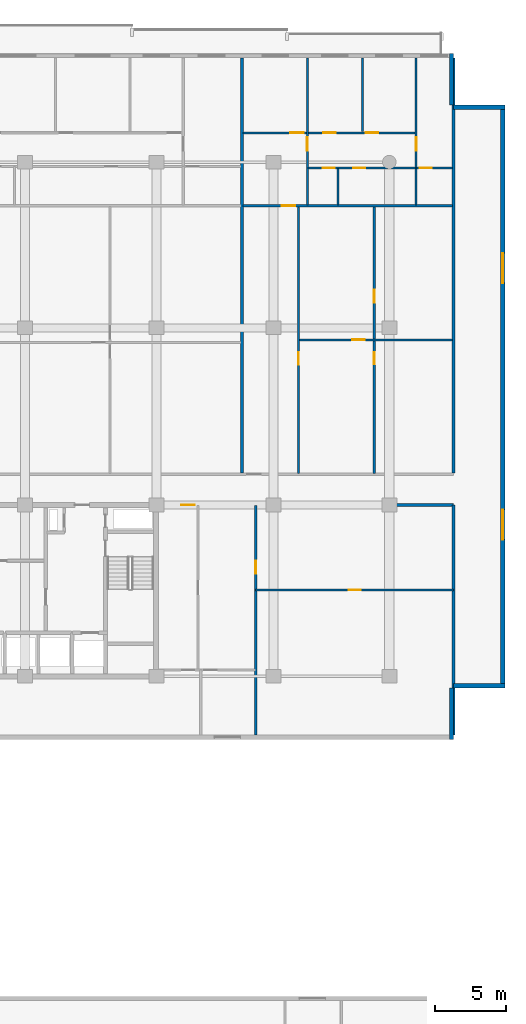
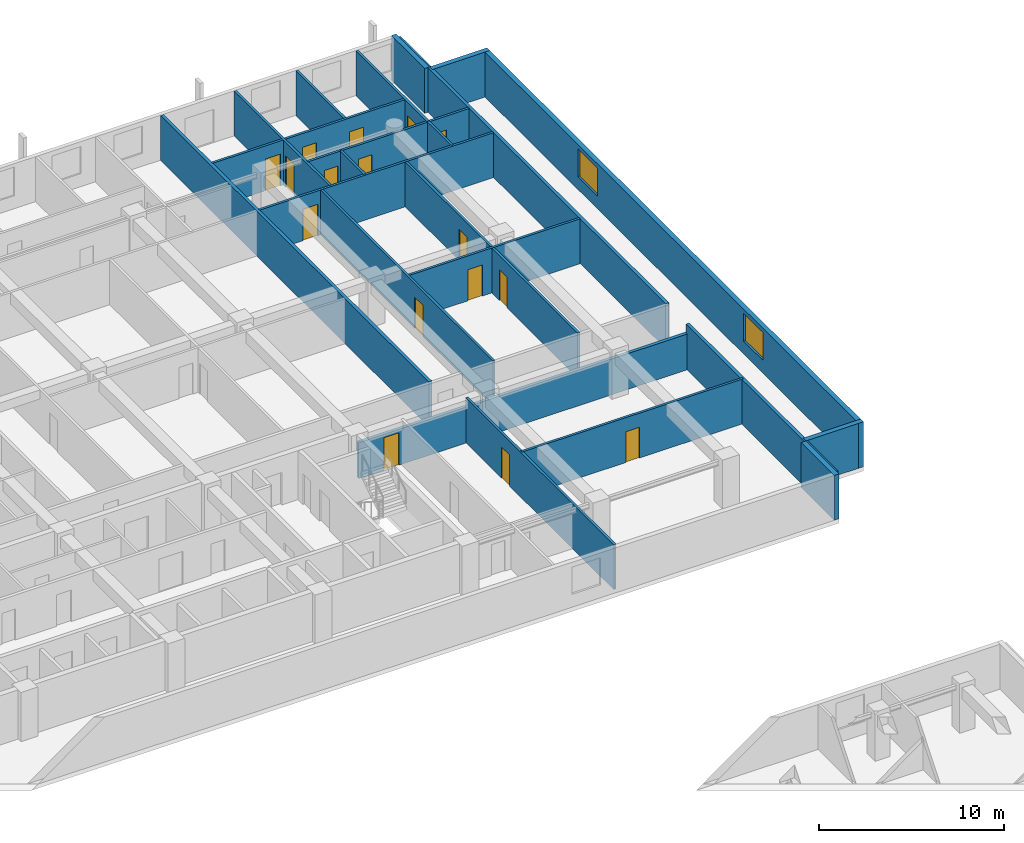
# One storey, part 17 of 23: 22 walls, 16 doors, 2 windows, 18 openings.
"""IFC4 building model written with IfcOpenShell, lengths in metres."""

from ifc_helpers import new_model, si_unit, direction, frame, frame_2d, origin, place, context, subcontext, project, spatial, rectangle, extrude, material, layer, layer_set, type_object, element, fill, save


model = new_model("IFC4")

# Units and contexts
model_context = context("Model", 3, precision=1e-05, world=origin(), true_north=direction((0.0, 1.0)))
body_context = subcontext(model_context, "Body", "Model", "MODEL_VIEW")
ifc_project = project(units=[si_unit("LENGTHUNIT", "METRE"), si_unit("AREAUNIT", "SQUARE_METRE"), si_unit("VOLUMEUNIT", "CUBIC_METRE"), si_unit("PLANEANGLEUNIT", "RADIAN"), si_unit("MASSUNIT", "GRAM", prefix="KILO")], contexts=[model_context])

# Site, building, storey
site_placement = place(None, origin())
site = spatial("IfcSite", under=ifc_project, at=site_placement, CompositionType="ELEMENT")
building_placement = place(site_placement, origin())
building = spatial("IfcBuilding", under=site, at=building_placement, Name="Korimba Cascade Residences", CompositionType="ELEMENT")
storey_placement = place(building_placement, frame((0.0, 0.0, 53.25)))
storey = spatial("IfcBuildingStorey", under=building, at=storey_placement, Name="L14", CompositionType="ELEMENT", Elevation=53.25)

# Walls
ifc_material_1 = material(Name="Precast concrete C40/50", Category="concrete")
ifc_layer_1 = layer(ifc_material_1, 0.300048828125)
ifc_layer_set_1 = layer_set([ifc_layer_1], Name="Precast concrete C40/50")
wall_type_1 = type_object("IfcWallType", Name="EW-STONE-300", PredefinedType="STANDARD", material=ifc_layer_set_1)
wall_1_placement = place(storey_placement, frame((132.75, 50.800048828125, 0.0), z_axis=(0.0, 0.0, 1.0), x_axis=(0.0, 1.0, 0.0)))
element("IfcWall", 1, at=wall_1_placement, inside=storey, type_object=wall_type_1, Name="L14 T1 Perimeter Stone Wall E01", PredefinedType="STANDARD", context=body_context, shape_type="SweptSolid", body=[
    extrude(rectangle(XDim=3.599853515625, YDim=0.300048828125, at=frame_2d((1.7998046875, 0.0))), origin(), (0.0, 0.0, 1.0), 2.969970703125),
])
wall_2_placement = place(storey_placement, frame((132.89990234375, 54.550048828125, 0.0), z_axis=(0.0, 0.0, 1.0), x_axis=(1.0, 0.0, 0.0)))
element("IfcWall", 2, at=wall_2_placement, inside=storey, type_object=wall_type_1, Name="L14 T1 Perimeter Stone Wall E02", PredefinedType="STANDARD", context=body_context, shape_type="SweptSolid", body=[
    extrude(rectangle(XDim=3.60009765625, YDim=0.300048828125, at=frame_2d((1.800048828125, 0.0))), origin(), (0.0, 0.0, 1.0), 2.969970703125),
])

# Wall, openings, windows
wall_3_placement = place(storey_placement, frame((136.35009765625, 54.39990234375, 0.0), z_axis=(0.0, 0.0, 1.0), x_axis=(0.0, 1.0, 0.0)))
wall_3 = element("IfcWall", 3, at=wall_3_placement, inside=storey, type_object=wall_type_1, Name="L14 T1 Perimeter Stone Wall E03", PredefinedType="STANDARD", context=body_context, shape_type="SweptSolid", body=[
    extrude(rectangle(XDim=40.800048828125, YDim=0.300048828125, at=frame_2d((20.39990234375, 0.0))), origin(), (0.0, 0.0, 1.0), 2.969970703125),
])
opening_1_placement = place(wall_3_placement, frame((10.3740234375, 0.0, 0.85009765625)))
opening_1 = element("IfcOpeningElement", 4, at=opening_1_placement, cuts=wall_3, Name="Opening W-03", PredefinedType="OPENING", context=body_context, shape_type="SweptSolid", body=[
    extrude(rectangle(XDim=2.10009765625, YDim=1.85009765625, at=frame_2d((1.050048828125, 0.925048828125))), frame((0.0, 0.16015625, 0.0), z_axis=(0.0, -1.0, 0.0), x_axis=(1.0, 0.0, 0.0)), (0.0, 0.0, 1.0), 0.320068359375),
])
opening_2_placement = place(wall_3_placement, frame((28.325927734375, 0.0, 0.85009765625)))
opening_2 = element("IfcOpeningElement", 5, at=opening_2_placement, cuts=wall_3, Name="Opening W-03", PredefinedType="OPENING", context=body_context, shape_type="SweptSolid", body=[
    extrude(rectangle(XDim=2.10009765625, YDim=1.85009765625, at=frame_2d((1.050048828125, 0.925048828125))), frame((0.0, 0.16015625, 0.0), z_axis=(0.0, -1.0, 0.0), x_axis=(1.0, 0.0, 0.0)), (0.0, 0.0, 1.0), 0.320068359375),
])
ifc_material_2 = material(Name="Double-Glazed Aluminium Window", Category="aluminium")
window_type = type_object("IfcWindowType", Name="WIN-CRN-2100", PartitioningType="DOUBLE_PANEL_HORIZONTAL", PredefinedType="WINDOW", material=ifc_material_2)
window_1_placement = place(opening_1_placement, origin())
window_1 = element("IfcWindow", 6, at=window_1_placement, inside=storey, type_object=window_type, Name="L14 T1 End View Window 3.1", OverallHeight=1.85009765625, OverallWidth=2.10009765625, PartitioningType="DOUBLE_PANEL_HORIZONTAL", PredefinedType="WINDOW", context=body_context, shape_type="SweptSolid", body=[
    extrude(rectangle(XDim=2.10009765625, YDim=1.85009765625, at=frame_2d((1.050048828125, 0.925048828125))), frame((0.0, 0.030029296875, 0.0), z_axis=(0.0, -1.0, 0.0), x_axis=(1.0, 0.0, 0.0)), (0.0, 0.0, 1.0), 0.06005859375),
])
fill(opening_1, window_1)
window_2_placement = place(opening_2_placement, origin())
window_2 = element("IfcWindow", 7, at=window_2_placement, inside=storey, type_object=window_type, Name="L14 T1 End View Window 3.2", OverallHeight=1.85009765625, OverallWidth=2.10009765625, PartitioningType="DOUBLE_PANEL_HORIZONTAL", PredefinedType="WINDOW", context=body_context, shape_type="SweptSolid", body=[
    extrude(rectangle(XDim=2.10009765625, YDim=1.85009765625, at=frame_2d((1.050048828125, 0.925048828125))), frame((0.0, 0.030029296875, 0.0), z_axis=(0.0, -1.0, 0.0), x_axis=(1.0, 0.0, 0.0)), (0.0, 0.0, 1.0), 0.06005859375),
])
fill(opening_2, window_2)

# Walls
for number, where, z_axis, x_axis, name in (
    (8, (136.5, 95.050048828125, 0.0), (0.0, 0.0, 1.0), (-1.0, 0.0, 0.0), "L14 T1 Perimeter Stone Wall E04"),
    (9, (132.75, 95.199951171875, 0.0), (0.0, 0.0, 1.0), (0.0, 1.0, 0.0), "L14 T1 Perimeter Stone Wall E05"),
):
    element("IfcWall", number, at=place(storey_placement, frame(where, z_axis=z_axis, x_axis=x_axis)), inside=storey, type_object=wall_type_1, Name=name, PredefinedType="STANDARD", context=body_context, shape_type="SweptSolid", body=[
        extrude(rectangle(XDim=3.60009765625, YDim=0.300048828125, at=frame_2d((1.800048828125, 0.0))), origin(), (0.0, 0.0, 1.0), 2.969970703125),
    ])
ifc_layer_2 = layer(ifc_material_1, 0.199951171875)
ifc_layer_set_2 = layer_set([ifc_layer_2], Name="Precast concrete C40/50")
wall_type_2 = type_object("IfcWallType", Name="WAL-IT-200", PredefinedType="PARTITIONING", material=ifc_layer_set_2)
wall_4_placement = place(storey_placement, frame((132.89990234375, 51.10009765625, 0.0), z_axis=(0.0, 0.0, 1.0), x_axis=(0.0, 1.0, 0.0)))
element("IfcWall", 10, at=wall_4_placement, inside=storey, type_object=wall_type_2, Name="L14 Partition Wall WAL-L14-T1-FE-WR", PredefinedType="PARTITIONING", context=body_context, shape_type="SweptSolid", body=[
    extrude(rectangle(XDim=16.099853515625, YDim=0.199951171875, at=frame_2d((8.0498046875, 0.0))), origin(), (0.0, 0.0, 1.0), 2.969970703125),
])

# Wall, opening, door
wall_5_placement = place(storey_placement, frame((112.25, 67.199951171875, 0.0), z_axis=(0.0, 0.0, 1.0), x_axis=(1.0, 0.0, 0.0)))
wall_5 = element("IfcWall", 11, at=wall_5_placement, inside=storey, type_object=wall_type_2, Name="L14 Partition Wall WAL-L14-T1-FE-N", PredefinedType="PARTITIONING", context=body_context, shape_type="SweptSolid", body=[
    extrude(rectangle(XDim=20.64990234375, YDim=0.199951171875, at=frame_2d((10.324951171875, 0.0))), origin(), (0.0, 0.0, 1.0), 2.3701171875),
])
opening_3_placement = place(wall_5_placement, frame((1.580078125, 0.0, 0.0)))
opening_3 = element("IfcOpeningElement", 12, at=opening_3_placement, cuts=wall_5, Name="Opening D-UN1", PredefinedType="OPENING", context=body_context, shape_type="SweptSolid", body=[
    extrude(rectangle(XDim=0.949951171875, YDim=2.14990234375, at=frame_2d((0.47509765625, 1.074951171875))), frame((0.0, 0.10986328125, 0.0), z_axis=(0.0, -1.0, 0.0), x_axis=(1.0, 0.0, 0.0)), (0.0, 0.0, 1.0), 0.219970703125),
])
ifc_material_3 = material(Name="Fire-Rated Hardwood Apartment Entrance Door", Category="wood")
door_type_1 = type_object("IfcDoorType", Name="DR-FD60-950", OperationType="NOTDEFINED", PredefinedType="DOOR", material=ifc_material_3)
door_1_placement = place(opening_3_placement, origin())
door_1 = element("IfcDoor", 13, at=door_1_placement, inside=storey, type_object=door_type_1, Name="L14-T1-FE Entrance Door", OperationType="SINGLE_SWING_RIGHT", OverallHeight=2.14990234375, OverallWidth=0.949951171875, PredefinedType="DOOR", context=body_context, shape_type="SweptSolid", body=[
    extrude(rectangle(XDim=0.949951171875, YDim=2.14990234375, at=frame_2d((0.47509765625, 1.074951171875))), frame((0.0, 0.02490234375, 0.0), z_axis=(0.0, -1.0, 0.0), x_axis=(1.0, 0.0, 0.0)), (0.0, 0.0, 1.0), 0.050048828125),
])
fill(opening_3, door_1)

# Walls
for number, where, z_axis, x_axis, name in (
    (14, (132.89990234375, 69.429931640625, 0.0), (0.0, 0.0, 1.0), (0.0, 1.0, 0.0), "L14 Partition Wall WAL-L14-T1-BNDWR"),
    (15, (118.0830078125, 69.429931640625, 0.0), (0.0, 0.0, 1.0), (0.0, 1.0, 0.0), "L14 Partition Wall WAL-L14-T1-DEM-3"),
):
    element("IfcWall", number, at=place(storey_placement, frame(where, z_axis=z_axis, x_axis=x_axis)), inside=storey, type_object=wall_type_2, Name=name, PredefinedType="PARTITIONING", context=body_context, shape_type="SweptSolid", body=[
        extrude(rectangle(XDim=29.070068359375, YDim=0.199951171875, at=frame_2d((14.53515625, 0.0))), origin(), (0.0, 0.0, 1.0), 2.969970703125),
    ])

# Wall, opening, door
ifc_material_4 = material(Name="Insulated Acoustic Stud Partition", Category="gypsum")
ifc_layer_3 = layer(ifc_material_4, 0.14990234375)
ifc_layer_set_3 = layer_set([ifc_layer_3], Name="Insulated Acoustic Stud Partition")
wall_type_3 = type_object("IfcWallType", Name="WAL-PART-150", PredefinedType="PARTITIONING", material=ifc_layer_set_3)
wall_6_placement = place(storey_placement, frame((119.050048828125, 61.25, 0.0), z_axis=(0.0, 0.0, 1.0), x_axis=(1.0, 0.0, 0.0)))
wall_6 = element("IfcWall", 16, at=wall_6_placement, inside=storey, type_object=wall_type_3, Name="L14 Partition Wall WAL-L14-T1-FE-STH", PredefinedType="PARTITIONING", context=body_context, shape_type="SweptSolid", body=[
    extrude(rectangle(XDim=13.849853515625, YDim=0.14990234375, at=frame_2d((6.9248046875, 0.0))), origin(), (0.0, 0.0, 1.0), 2.969970703125),
])
opening_4_placement = place(wall_6_placement, frame((6.5048828125, 0.0, 0.0)))
opening_4 = element("IfcOpeningElement", 17, at=opening_4_placement, cuts=wall_6, Name="Opening D-BT1", PredefinedType="OPENING", context=body_context, shape_type="SweptSolid", body=[
    extrude(rectangle(XDim=0.840087890625, YDim=2.0400390625, at=frame_2d((0.419921875, 1.02001953125))), frame((0.0, 0.0849609375, 0.0), z_axis=(0.0, -1.0, 0.0), x_axis=(1.0, 0.0, 0.0)), (0.0, 0.0, 1.0), 0.169921875),
])
ifc_material_5 = material(Name="Moisture-Resistant Bathroom Timber Door", Category="wood")
door_type_2 = type_object("IfcDoorType", Name="DR-INT-850", OperationType="NOTDEFINED", PredefinedType="DOOR", material=ifc_material_5)
door_2_placement = place(opening_4_placement, origin())
door_2 = element("IfcDoor", 18, at=door_2_placement, inside=storey, type_object=door_type_2, Name="L14-T1-FE Dressing Store Door", OperationType="SINGLE_SWING_LEFT", OverallHeight=2.0400390625, OverallWidth=0.840087890625, PredefinedType="DOOR", context=body_context, shape_type="SweptSolid", body=[
    extrude(rectangle(XDim=0.840087890625, YDim=2.0400390625, at=frame_2d((0.419921875, 1.02001953125))), frame((0.0, 0.02490234375, 0.0), z_axis=(0.0, -1.0, 0.0), x_axis=(1.0, 0.0, 0.0)), (0.0, 0.0, 1.0), 0.050048828125),
])
fill(opening_4, door_2)

wall_7_placement = place(storey_placement, frame((119.050048828125, 51.10009765625, 0.0), z_axis=(0.0, 0.0, 1.0), x_axis=(0.0, 1.0, 0.0)))
wall_7 = element("IfcWall", 19, at=wall_7_placement, inside=storey, type_object=wall_type_3, Name="L14 Partition Wall WAL-L14-T1-FE-STV", PredefinedType="PARTITIONING", context=body_context, shape_type="SweptSolid", body=[
    extrude(rectangle(XDim=16.0498046875, YDim=0.14990234375, at=frame_2d((8.02490234375, 0.0))), origin(), (0.0, 0.0, 1.0), 2.969970703125),
])
opening_5_placement = place(wall_7_placement, frame((11.300048828125, 0.0, 0.0)))
opening_5 = element("IfcOpeningElement", 20, at=opening_5_placement, cuts=wall_7, Name="Opening D-IN2", PredefinedType="OPENING", context=body_context, shape_type="SweptSolid", body=[
    extrude(rectangle(XDim=0.8798828125, YDim=2.06005859375, at=frame_2d((0.43994140625, 1.030029296875))), frame((0.0, 0.0849609375, 0.0), z_axis=(0.0, -1.0, 0.0), x_axis=(1.0, 0.0, 0.0)), (0.0, 0.0, 1.0), 0.169921875),
])
ifc_material_6 = material(Name="Acoustic Timber Bedroom Door", Category="wood")
door_type_3 = type_object("IfcDoorType", Name="DR-INT-880", OperationType="NOTDEFINED", PredefinedType="DOOR", material=ifc_material_6)
door_3_placement = place(opening_5_placement, origin())
door_3 = element("IfcDoor", 21, at=door_3_placement, inside=storey, type_object=door_type_3, Name="L14-T1-FE Study Door", OperationType="SINGLE_SWING_RIGHT", OverallHeight=2.06005859375, OverallWidth=0.8798828125, PredefinedType="DOOR", context=body_context, shape_type="SweptSolid", body=[
    extrude(rectangle(XDim=0.8798828125, YDim=2.06005859375, at=frame_2d((0.43994140625, 1.030029296875))), frame((0.0, 0.02490234375, 0.0), z_axis=(0.0, -1.0, 0.0), x_axis=(1.0, 0.0, 0.0)), (0.0, 0.0, 1.0), 0.050048828125),
])
fill(opening_5, door_3)

# Wall, openings, doors
wall_8_placement = place(storey_placement, frame((127.346435546875, 69.409912109375, 0.0), z_axis=(0.0, 0.0, 1.0), x_axis=(0.0, 1.0, 0.0)))
wall_8 = element("IfcWall", 22, at=wall_8_placement, inside=storey, type_object=wall_type_3, Name="L14 Partition Wall WAL-L14-T1-U04-FMV", PredefinedType="PARTITIONING", context=body_context, shape_type="SweptSolid", body=[
    extrude(rectangle(XDim=18.7001953125, YDim=0.14990234375, at=frame_2d((9.35009765625, 0.0))), origin(), (0.0, 0.0, 1.0), 2.969970703125),
])
opening_6_placement = place(wall_8_placement, frame((7.627197265625, 0.0, 0.0)))
opening_6 = element("IfcOpeningElement", 23, at=opening_6_placement, cuts=wall_8, Name="Opening D-BT1", PredefinedType="OPENING", context=body_context, shape_type="SweptSolid", body=[
    extrude(rectangle(XDim=0.840087890625, YDim=2.0400390625, at=frame_2d((0.419921875, 1.02001953125))), frame((0.0, 0.0849609375, 0.0), z_axis=(0.0, -1.0, 0.0), x_axis=(1.0, 0.0, 0.0)), (0.0, 0.0, 1.0), 0.169921875),
])
opening_7_placement = place(wall_8_placement, frame((11.9609375, 0.0, 0.0)))
opening_7 = element("IfcOpeningElement", 24, at=opening_7_placement, cuts=wall_8, Name="Opening D-IN2", PredefinedType="OPENING", context=body_context, shape_type="SweptSolid", body=[
    extrude(rectangle(XDim=0.8798828125, YDim=2.06005859375, at=frame_2d((0.43994140625, 1.030029296875))), frame((0.0, 0.0849609375, 0.0), z_axis=(0.0, -1.0, 0.0), x_axis=(1.0, 0.0, 0.0)), (0.0, 0.0, 1.0), 0.169921875),
])
door_4_placement = place(opening_6_placement, origin())
door_4 = element("IfcDoor", 25, at=door_4_placement, inside=storey, type_object=door_type_2, Name="L14-T1-U04 Wardrobe Door", OperationType="SINGLE_SWING_LEFT", OverallHeight=2.0400390625, OverallWidth=0.840087890625, PredefinedType="DOOR", context=body_context, shape_type="SweptSolid", body=[
    extrude(rectangle(XDim=0.840087890625, YDim=2.0400390625, at=frame_2d((0.419921875, 1.02001953125))), frame((0.0, 0.02490234375, 0.0), z_axis=(0.0, -1.0, 0.0), x_axis=(1.0, 0.0, 0.0)), (0.0, 0.0, 1.0), 0.050048828125),
])
fill(opening_6, door_4)
door_5_placement = place(opening_7_placement, origin())
door_5 = element("IfcDoor", 26, at=door_5_placement, inside=storey, type_object=door_type_3, Name="L14-T1-U04 Music Lounge Door", OperationType="SINGLE_SWING_RIGHT", OverallHeight=2.06005859375, OverallWidth=0.8798828125, PredefinedType="DOOR", context=body_context, shape_type="SweptSolid", body=[
    extrude(rectangle(XDim=0.8798828125, YDim=2.06005859375, at=frame_2d((0.43994140625, 1.030029296875))), frame((0.0, 0.02490234375, 0.0), z_axis=(0.0, -1.0, 0.0), x_axis=(1.0, 0.0, 0.0)), (0.0, 0.0, 1.0), 0.050048828125),
])
fill(opening_7, door_5)

# Wall, opening, door
wall_9_placement = place(storey_placement, frame((122.113037109375, 78.760009765625, 0.0), z_axis=(0.0, 0.0, 1.0), x_axis=(1.0, 0.0, 0.0)))
wall_9 = element("IfcWall", 27, at=wall_9_placement, inside=storey, type_object=wall_type_3, Name="L14 Partition Wall WAL-L14-T1-U04-FMH", PredefinedType="PARTITIONING", context=body_context, shape_type="SweptSolid", body=[
    extrude(rectangle(XDim=10.70703125, YDim=0.14990234375, at=frame_2d((5.353515625, 0.0))), origin(), (0.0, 0.0, 1.0), 2.969970703125),
])
opening_8_placement = place(wall_9_placement, frame((3.679443359375, 0.0, 0.0)))
opening_8 = element("IfcOpeningElement", 28, at=opening_8_placement, cuts=wall_9, Name="Opening D-IN2", PredefinedType="OPENING", context=body_context, shape_type="SweptSolid", body=[
    extrude(rectangle(XDim=0.8798828125, YDim=2.06005859375, at=frame_2d((0.43994140625, 1.030029296875))), frame((0.0, 0.0849609375, 0.0), z_axis=(0.0, -1.0, 0.0), x_axis=(1.0, 0.0, 0.0)), (0.0, 0.0, 1.0), 0.169921875),
])
door_6_placement = place(opening_8_placement, origin())
door_6 = element("IfcDoor", 29, at=door_6_placement, inside=storey, type_object=door_type_3, Name="L14-T1-U04 Library Salon Door", OperationType="SINGLE_SWING_LEFT", OverallHeight=2.06005859375, OverallWidth=0.8798828125, PredefinedType="DOOR", context=body_context, shape_type="SweptSolid", body=[
    extrude(rectangle(XDim=0.8798828125, YDim=2.06005859375, at=frame_2d((0.43994140625, 1.030029296875))), frame((0.0, 0.02490234375, 0.0), z_axis=(0.0, -1.0, 0.0), x_axis=(1.0, 0.0, 0.0)), (0.0, 0.0, 1.0), 0.050048828125),
])
fill(opening_8, door_6)

wall_10_placement = place(storey_placement, frame((122.052978515625, 69.409912109375, 0.0), z_axis=(0.0, 0.0, 1.0), x_axis=(0.0, 1.0, 0.0)))
wall_10 = element("IfcWall", 30, at=wall_10_placement, inside=storey, type_object=wall_type_3, Name="L14 Partition Wall WAL-L14-T1-U04-FV", PredefinedType="PARTITIONING", context=body_context, shape_type="SweptSolid", body=[
    extrude(rectangle(XDim=18.7001953125, YDim=0.14990234375, at=frame_2d((9.35009765625, 0.0))), origin(), (0.0, 0.0, 1.0), 2.969970703125),
])
opening_9_placement = place(wall_10_placement, frame((7.59033203125, 0.0, 0.0)))
opening_9 = element("IfcOpeningElement", 31, at=opening_9_placement, cuts=wall_10, Name="Opening D-IN2", PredefinedType="OPENING", context=body_context, shape_type="SweptSolid", body=[
    extrude(rectangle(XDim=0.8798828125, YDim=2.06005859375, at=frame_2d((0.43994140625, 1.030029296875))), frame((0.0, 0.0849609375, 0.0), z_axis=(0.0, -1.0, 0.0), x_axis=(1.0, 0.0, 0.0)), (0.0, 0.0, 1.0), 0.169921875),
])
door_7_placement = place(opening_9_placement, origin())
door_7 = element("IfcDoor", 32, at=door_7_placement, inside=storey, type_object=door_type_3, Name="L14-T1-U04 Media Lounge Door", OperationType="SINGLE_SWING_RIGHT", OverallHeight=2.06005859375, OverallWidth=0.8798828125, PredefinedType="DOOR", context=body_context, shape_type="SweptSolid", body=[
    extrude(rectangle(XDim=0.8798828125, YDim=2.06005859375, at=frame_2d((0.43994140625, 1.030029296875))), frame((0.0, 0.02490234375, 0.0), z_axis=(0.0, -1.0, 0.0), x_axis=(1.0, 0.0, 0.0)), (0.0, 0.0, 1.0), 0.050048828125),
])
fill(opening_9, door_7)

# Walls
wall_11_placement = place(storey_placement, frame((124.81298828125, 88.18994140625, 0.0), z_axis=(0.0, 0.0, 1.0), x_axis=(0.0, 1.0, 0.0)))
element("IfcWall", 33, at=wall_11_placement, inside=storey, type_object=wall_type_3, Name="L14 Partition Wall WAL-L14-T1-U04-VDRS", PredefinedType="PARTITIONING", context=body_context, shape_type="SweptSolid", body=[
    extrude(rectangle(XDim=2.580078125, YDim=0.14990234375, at=frame_2d((1.2900390625, 0.0))), origin(), (0.0, 0.0, 1.0), 2.969970703125),
])
wall_12_placement = place(storey_placement, frame((126.52001953125, 93.330078125, 0.0), z_axis=(0.0, 0.0, 1.0), x_axis=(0.0, 1.0, 0.0)))
element("IfcWall", 34, at=wall_12_placement, inside=storey, type_object=wall_type_3, Name="L14 Partition Wall WAL-L14-T1-U04-VSTD", PredefinedType="PARTITIONING", context=body_context, shape_type="SweptSolid", body=[
    extrude(rectangle(XDim=5.169921875, YDim=0.14990234375, at=frame_2d((2.5849609375, 0.0))), origin(), (0.0, 0.0, 1.0), 2.969970703125),
])

# Wall, opening, door
wall_13_placement = place(storey_placement, frame((122.6630859375, 88.18994140625, 0.0), z_axis=(0.0, 0.0, 1.0), x_axis=(0.0, 1.0, 0.0)))
wall_13 = element("IfcWall", 35, at=wall_13_placement, inside=storey, type_object=wall_type_3, Name="L14 Partition Wall WAL-L14-T1-U04-V1", PredefinedType="PARTITIONING", context=body_context, shape_type="SweptSolid", body=[
    extrude(rectangle(XDim=10.31005859375, YDim=0.14990234375, at=frame_2d((5.155029296875, 0.0))), origin(), (0.0, 0.0, 1.0), 2.969970703125),
])
opening_10_placement = place(wall_13_placement, frame((3.820068359375, 0.0, 0.0)))
opening_10 = element("IfcOpeningElement", 36, at=opening_10_placement, cuts=wall_13, Name="Opening D-IN1", PredefinedType="OPENING", context=body_context, shape_type="SweptSolid", body=[
    extrude(rectangle(XDim=0.919921875, YDim=2.080078125, at=frame_2d((0.4599609375, 1.0400390625))), frame((0.0, 0.0849609375, 0.0), z_axis=(0.0, -1.0, 0.0), x_axis=(1.0, 0.0, 0.0)), (0.0, 0.0, 1.0), 0.169921875),
])
ifc_material_7 = material(Name="Acoustic Timber Living Door", Category="wood")
door_type_4 = type_object("IfcDoorType", Name="DR-INT-920", OperationType="NOTDEFINED", PredefinedType="DOOR", material=ifc_material_7)
door_8_placement = place(opening_10_placement, origin())
door_8 = element("IfcDoor", 37, at=door_8_placement, inside=storey, type_object=door_type_4, Name="L14-T1-U04 Hallway Door", OperationType="SINGLE_SWING_LEFT", OverallHeight=2.080078125, OverallWidth=0.919921875, PredefinedType="DOOR", context=body_context, shape_type="SweptSolid", body=[
    extrude(rectangle(XDim=0.919921875, YDim=2.080078125, at=frame_2d((0.4599609375, 1.0400390625))), frame((0.0, 0.02490234375, 0.0), z_axis=(0.0, -1.0, 0.0), x_axis=(1.0, 0.0, 0.0)), (0.0, 0.0, 1.0), 0.050048828125),
])
fill(opening_10, door_8)

# Wall
wall_14_placement = place(storey_placement, frame((130.280029296875, 88.18994140625, 0.0), z_axis=(0.0, 0.0, 1.0), x_axis=(0.0, 1.0, 0.0)))
element("IfcWall", 38, at=wall_14_placement, inside=storey, type_object=wall_type_3, Name="L14 Partition Wall WAL-L14-T1-U04-VBATH", PredefinedType="PARTITIONING", context=body_context, shape_type="SweptSolid", body=[
    extrude(rectangle(XDim=2.580078125, YDim=0.14990234375, at=frame_2d((1.2900390625, 0.0))), origin(), (0.0, 0.0, 1.0), 2.969970703125),
])

# Wall, opening, door
wall_15_placement = place(storey_placement, frame((130.280029296875, 90.81005859375, 0.0), z_axis=(0.0, 0.0, 1.0), x_axis=(0.0, 1.0, 0.0)))
wall_15 = element("IfcWall", 39, at=wall_15_placement, inside=storey, type_object=wall_type_3, Name="L14 Partition Wall WAL-L14-T1-U04-V2FULL", PredefinedType="PARTITIONING", context=body_context, shape_type="SweptSolid", body=[
    extrude(rectangle(XDim=7.68994140625, YDim=0.14990234375, at=frame_2d((3.844970703125, 0.0))), origin(), (0.0, 0.0, 1.0), 2.969970703125),
])
opening_11_placement = place(wall_15_placement, frame((1.199951171875, 0.0, 0.0)))
opening_11 = element("IfcOpeningElement", 40, at=opening_11_placement, cuts=wall_15, Name="Opening D-IN1", PredefinedType="OPENING", context=body_context, shape_type="SweptSolid", body=[
    extrude(rectangle(XDim=0.919921875, YDim=2.080078125, at=frame_2d((0.4599609375, 1.0400390625))), frame((0.0, 0.0849609375, 0.0), z_axis=(0.0, -1.0, 0.0), x_axis=(1.0, 0.0, 0.0)), (0.0, 0.0, 1.0), 0.169921875),
])
door_9_placement = place(opening_11_placement, origin())
door_9 = element("IfcDoor", 41, at=door_9_placement, inside=storey, type_object=door_type_4, Name="L14-T1-U04 Master Bedroom Door", OperationType="SINGLE_SWING_RIGHT", OverallHeight=2.080078125, OverallWidth=0.919921875, PredefinedType="DOOR", context=body_context, shape_type="SweptSolid", body=[
    extrude(rectangle(XDim=0.919921875, YDim=2.080078125, at=frame_2d((0.4599609375, 1.0400390625))), frame((0.0, 0.02490234375, 0.0), z_axis=(0.0, -1.0, 0.0), x_axis=(1.0, 0.0, 0.0)), (0.0, 0.0, 1.0), 0.050048828125),
])
fill(opening_11, door_9)

# Wall, openings, doors
wall_16_placement = place(storey_placement, frame((122.703125, 90.7900390625, 0.0), z_axis=(0.0, 0.0, 1.0), x_axis=(1.0, 0.0, 0.0)))
wall_16 = element("IfcWall", 42, at=wall_16_placement, inside=storey, type_object=wall_type_3, Name="L14 Partition Wall WAL-L14-T1-U04-HWALL", PredefinedType="PARTITIONING", context=body_context, shape_type="SweptSolid", body=[
    extrude(rectangle(XDim=10.116943359375, YDim=0.14990234375, at=frame_2d((5.05859375, 0.0))), origin(), (0.0, 0.0, 1.0), 2.969970703125),
])
opening_12_placement = place(wall_16_placement, frame((1.033935546875, 0.0, 0.0)))
opening_12 = element("IfcOpeningElement", 43, at=opening_12_placement, cuts=wall_16, Name="Opening D-BT1", PredefinedType="OPENING", context=body_context, shape_type="SweptSolid", body=[
    extrude(rectangle(XDim=0.840087890625, YDim=2.0400390625, at=frame_2d((0.419921875, 1.02001953125))), frame((0.0, 0.0849609375, 0.0), z_axis=(0.0, -1.0, 0.0), x_axis=(1.0, 0.0, 0.0)), (0.0, 0.0, 1.0), 0.169921875),
])
opening_13_placement = place(wall_16_placement, frame((3.16748046875, 0.0, 0.0)))
opening_13 = element("IfcOpeningElement", 44, at=opening_13_placement, cuts=wall_16, Name="Opening D-BT1", PredefinedType="OPENING", context=body_context, shape_type="SweptSolid", body=[
    extrude(rectangle(XDim=0.840087890625, YDim=2.0400390625, at=frame_2d((0.419921875, 1.02001953125))), frame((0.0, 0.0849609375, 0.0), z_axis=(0.0, -1.0, 0.0), x_axis=(1.0, 0.0, 0.0)), (0.0, 0.0, 1.0), 0.169921875),
])
opening_14_placement = place(wall_16_placement, frame((7.826904296875, 0.0, 0.0)))
opening_14 = element("IfcOpeningElement", 45, at=opening_14_placement, cuts=wall_16, Name="Opening D-BT1", PredefinedType="OPENING", context=body_context, shape_type="SweptSolid", body=[
    extrude(rectangle(XDim=0.840087890625, YDim=2.0400390625, at=frame_2d((0.419921875, 1.02001953125))), frame((0.0, 0.0849609375, 0.0), z_axis=(0.0, -1.0, 0.0), x_axis=(1.0, 0.0, 0.0)), (0.0, 0.0, 1.0), 0.169921875),
])
door_10_placement = place(opening_12_placement, origin())
door_10 = element("IfcDoor", 46, at=door_10_placement, inside=storey, type_object=door_type_2, Name="L14-T1-U04 Family Bathroom Door", OperationType="SINGLE_SWING_LEFT", OverallHeight=2.0400390625, OverallWidth=0.840087890625, PredefinedType="DOOR", context=body_context, shape_type="SweptSolid", body=[
    extrude(rectangle(XDim=0.840087890625, YDim=2.0400390625, at=frame_2d((0.419921875, 1.02001953125))), frame((0.0, 0.02490234375, 0.0), z_axis=(0.0, -1.0, 0.0), x_axis=(1.0, 0.0, 0.0)), (0.0, 0.0, 1.0), 0.050048828125),
])
fill(opening_12, door_10)
door_11_placement = place(opening_13_placement, origin())
door_11 = element("IfcDoor", 47, at=door_11_placement, inside=storey, type_object=door_type_2, Name="L14-T1-U04 Dressing Room Door", OperationType="SINGLE_SWING_RIGHT", OverallHeight=2.0400390625, OverallWidth=0.840087890625, PredefinedType="DOOR", context=body_context, shape_type="SweptSolid", body=[
    extrude(rectangle(XDim=0.840087890625, YDim=2.0400390625, at=frame_2d((0.419921875, 1.02001953125))), frame((0.0, 0.02490234375, 0.0), z_axis=(0.0, -1.0, 0.0), x_axis=(1.0, 0.0, 0.0)), (0.0, 0.0, 1.0), 0.050048828125),
])
fill(opening_13, door_11)
door_12_placement = place(opening_14_placement, origin())
door_12 = element("IfcDoor", 48, at=door_12_placement, inside=storey, type_object=door_type_2, Name="L14-T1-U04 En-Suite Door", OperationType="SINGLE_SWING_LEFT", OverallHeight=2.0400390625, OverallWidth=0.840087890625, PredefinedType="DOOR", context=body_context, shape_type="SweptSolid", body=[
    extrude(rectangle(XDim=0.840087890625, YDim=2.0400390625, at=frame_2d((0.419921875, 1.02001953125))), frame((0.0, 0.02490234375, 0.0), z_axis=(0.0, -1.0, 0.0), x_axis=(1.0, 0.0, 0.0)), (0.0, 0.0, 1.0), 0.050048828125),
])
fill(opening_14, door_12)

# Wall, opening, door
wall_17_placement = place(storey_placement, frame((118.1630859375, 88.14990234375, 0.0), z_axis=(0.0, 0.0, 1.0), x_axis=(1.0, 0.0, 0.0)))
wall_17 = element("IfcWall", 49, at=wall_17_placement, inside=storey, type_object=wall_type_3, Name="L14 Partition Wall WAL-L14-T1-U04-MW", PredefinedType="PARTITIONING", context=body_context, shape_type="SweptSolid", body=[
    extrude(rectangle(XDim=14.656982421875, YDim=0.14990234375, at=frame_2d((7.32861328125, 0.0))), origin(), (0.0, 0.0, 1.0), 2.969970703125),
])
opening_15_placement = place(wall_17_placement, frame((2.719970703125, 0.0, 0.0)))
opening_15 = element("IfcOpeningElement", 50, at=opening_15_placement, cuts=wall_17, Name="Opening D-IN1", PredefinedType="OPENING", context=body_context, shape_type="SweptSolid", body=[
    extrude(rectangle(XDim=0.919921875, YDim=2.080078125, at=frame_2d((0.4599609375, 1.0400390625))), frame((0.0, 0.0849609375, 0.0), z_axis=(0.0, -1.0, 0.0), x_axis=(1.0, 0.0, 0.0)), (0.0, 0.0, 1.0), 0.169921875),
])
door_13_placement = place(opening_15_placement, origin())
door_13 = element("IfcDoor", 51, at=door_13_placement, inside=storey, type_object=door_type_4, Name="L14-T1-U04 Kitchen Door", OperationType="SINGLE_SWING_RIGHT", OverallHeight=2.080078125, OverallWidth=0.919921875, PredefinedType="DOOR", context=body_context, shape_type="SweptSolid", body=[
    extrude(rectangle(XDim=0.919921875, YDim=2.080078125, at=frame_2d((0.4599609375, 1.0400390625))), frame((0.0, 0.02490234375, 0.0), z_axis=(0.0, -1.0, 0.0), x_axis=(1.0, 0.0, 0.0)), (0.0, 0.0, 1.0), 0.050048828125),
])
fill(opening_15, door_13)

# Wall, openings, doors
wall_18_placement = place(storey_placement, frame((118.1630859375, 93.25, 0.0), z_axis=(0.0, 0.0, 1.0), x_axis=(1.0, 0.0, 0.0)))
wall_18 = element("IfcWall", 52, at=wall_18_placement, inside=storey, type_object=wall_type_3, Name="L14 Partition Wall WAL-L14-T1-U04-HZ", PredefinedType="PARTITIONING", context=body_context, shape_type="SweptSolid", body=[
    extrude(rectangle(XDim=12.116943359375, YDim=0.14990234375, at=frame_2d((6.05859375, 0.0))), origin(), (0.0, 0.0, 1.0), 2.969970703125),
])
opening_16_placement = place(wall_18_placement, frame((3.31005859375, 0.0, 0.0)))
opening_16 = element("IfcOpeningElement", 53, at=opening_16_placement, cuts=wall_18, Name="Opening D-IN0", PredefinedType="OPENING", context=body_context, shape_type="SweptSolid", body=[
    extrude(rectangle(XDim=0.93994140625, YDim=2.10009765625, at=frame_2d((0.469970703125, 1.050048828125))), frame((0.0, 0.0849609375, 0.0), z_axis=(0.0, -1.0, 0.0), x_axis=(1.0, 0.0, 0.0)), (0.0, 0.0, 1.0), 0.169921875),
])
opening_17_placement = place(wall_18_placement, frame((5.618408203125, 0.0, 0.0)))
opening_17 = element("IfcOpeningElement", 54, at=opening_17_placement, cuts=wall_18, Name="Opening D-IN2", PredefinedType="OPENING", context=body_context, shape_type="SweptSolid", body=[
    extrude(rectangle(XDim=0.8798828125, YDim=2.06005859375, at=frame_2d((0.43994140625, 1.030029296875))), frame((0.0, 0.0849609375, 0.0), z_axis=(0.0, -1.0, 0.0), x_axis=(1.0, 0.0, 0.0)), (0.0, 0.0, 1.0), 0.169921875),
])
opening_18_placement = place(wall_18_placement, frame((8.576904296875, 0.0, 0.0)))
opening_18 = element("IfcOpeningElement", 55, at=opening_18_placement, cuts=wall_18, Name="Opening D-IN2", PredefinedType="OPENING", context=body_context, shape_type="SweptSolid", body=[
    extrude(rectangle(XDim=0.8798828125, YDim=2.06005859375, at=frame_2d((0.43994140625, 1.030029296875))), frame((0.0, 0.0849609375, 0.0), z_axis=(0.0, -1.0, 0.0), x_axis=(1.0, 0.0, 0.0)), (0.0, 0.0, 1.0), 0.169921875),
])
door_14_placement = place(opening_17_placement, origin())
door_14 = element("IfcDoor", 56, at=door_14_placement, inside=storey, type_object=door_type_3, Name="L14-T1-U04 Bedroom 2 Door", OperationType="SINGLE_SWING_RIGHT", OverallHeight=2.06005859375, OverallWidth=0.8798828125, PredefinedType="DOOR", context=body_context, shape_type="SweptSolid", body=[
    extrude(rectangle(XDim=0.8798828125, YDim=2.06005859375, at=frame_2d((0.43994140625, 1.030029296875))), frame((0.0, 0.02490234375, 0.0), z_axis=(0.0, -1.0, 0.0), x_axis=(1.0, 0.0, 0.0)), (0.0, 0.0, 1.0), 0.050048828125),
])
fill(opening_17, door_14)
door_15_placement = place(opening_18_placement, origin())
door_15 = element("IfcDoor", 57, at=door_15_placement, inside=storey, type_object=door_type_3, Name="L14-T1-U04 Study Door", OperationType="SINGLE_SWING_LEFT", OverallHeight=2.06005859375, OverallWidth=0.8798828125, PredefinedType="DOOR", context=body_context, shape_type="SweptSolid", body=[
    extrude(rectangle(XDim=0.8798828125, YDim=2.06005859375, at=frame_2d((0.43994140625, 1.030029296875))), frame((0.0, 0.02490234375, 0.0), z_axis=(0.0, -1.0, 0.0), x_axis=(1.0, 0.0, 0.0)), (0.0, 0.0, 1.0), 0.050048828125),
])
fill(opening_18, door_15)
ifc_material_8 = material(Name="Acoustic Timber Living Archway Door", Category="wood")
door_type_5 = type_object("IfcDoorType", Name="DR-INT-950", OperationType="NOTDEFINED", PredefinedType="DOOR", material=ifc_material_8)
door_16_placement = place(opening_16_placement, origin())
door_16 = element("IfcDoor", 58, at=door_16_placement, inside=storey, type_object=door_type_5, Name="L14-T1-U04 Living Room Door", OperationType="SINGLE_SWING_LEFT", OverallHeight=2.10009765625, OverallWidth=0.93994140625, PredefinedType="DOOR", context=body_context, shape_type="SweptSolid", body=[
    extrude(rectangle(XDim=0.93994140625, YDim=2.10009765625, at=frame_2d((0.469970703125, 1.050048828125))), frame((0.0, 0.02490234375, 0.0), z_axis=(0.0, -1.0, 0.0), x_axis=(1.0, 0.0, 0.0)), (0.0, 0.0, 1.0), 0.050048828125),
])
fill(opening_16, door_16)

save(model, "model.ifc")
